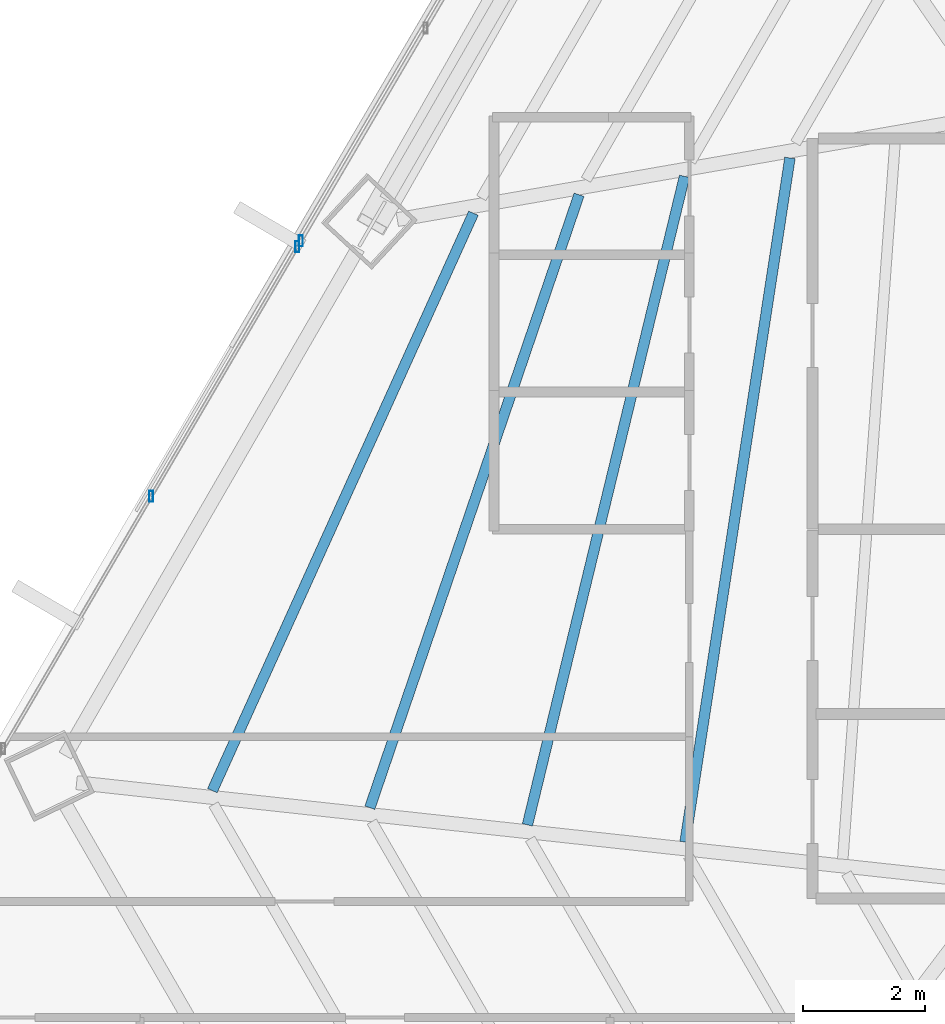
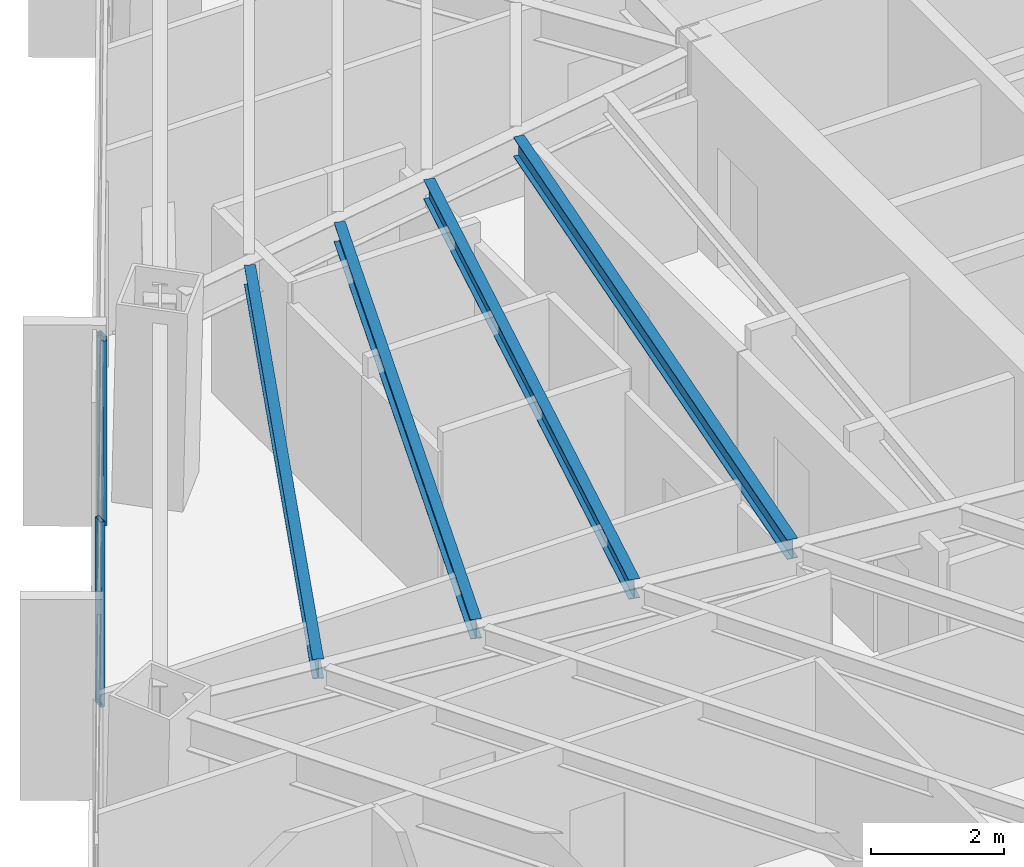
# One storey, part 11 of 35: 4 beams, 3 members, 2 elements without a shape of their own.
"""IFC4 building model written with IfcOpenShell, lengths in metres."""

import ifcopenshell
import ifcopenshell.guid

model = None  # the IFC model being written
_history = None  # IfcOwnerHistory: only IFC2X3 demands one
_inside = {}  # id of a spatial element -> (the spatial element, [elements in it])
_under = {}  # id of a project, library or spatial element -> (it, [spatial elements below it])
_declared = {}  # id of a project -> (the project, [libraries it declares])
_typed = {}  # id of a type object -> (the type object, [elements of that type])
_made_of = {}  # id of a material, layer set ... -> (it, [elements and type objects made of it])


def new_model(schema):
    """Start an empty IFC model of exactly this schema.

    Asked for "IFC4X3", IfcOpenShell would pick the latest addendum, in which some entities
    have other attributes; the version numbers below select the first issue.
    IFC2X3 requires an IfcOwnerHistory on every rooted entity: one is made here for all.
    """
    global model, _history
    if schema == "IFC4X3":
        model = ifcopenshell.file(schema_version=(4, 3, 0, 0))
    else:
        model = ifcopenshell.file(schema=schema)
    _inside.clear()
    _under.clear()
    _declared.clear()
    _typed.clear()
    _made_of.clear()
    _history = None
    if model.schema == "IFC2X3":
        org = make("IfcOrganization", Name="unknown")
        user = make(
            "IfcPersonAndOrganization",
            ThePerson=make("IfcPerson", FamilyName="unknown"),
            TheOrganization=org,
        )
        app = make(
            "IfcApplication",
            ApplicationDeveloper=org,
            Version="unknown",
            ApplicationFullName="unknown",
            ApplicationIdentifier="unknown",
        )
        _history = make(
            "IfcOwnerHistory",
            OwningUser=user,
            OwningApplication=app,
            ChangeAction="ADDED",
            CreationDate=0,
        )
    return model


def make(cls, **values):
    """One entity of the class cls with the attributes given. An attribute that is None is left unset."""
    return model.create_entity(
        cls, **{name: value for name, value in values.items() if value is not None}
    )


def rooted(cls, **values):
    """An entity with a GlobalId (a new one), such as an element, a storey or a relation."""
    return make(cls, GlobalId=ifcopenshell.guid.new(), OwnerHistory=_history, **values)


def si_unit(unit_type, name, prefix=None):
    """IfcSIUnit, for example si_unit("LENGTHUNIT", "METRE", prefix="MILLI")."""
    return make("IfcSIUnit", UnitType=unit_type, Prefix=prefix, Name=name)


def assignment(units):
    """IfcUnitAssignment: the units of a project."""
    return None if units is None else make("IfcUnitAssignment", Units=units)


def point(xyz):
    """IfcCartesianPoint."""
    return None if xyz is None else make("IfcCartesianPoint", Coordinates=xyz)


def direction(xyz):
    """IfcDirection."""
    return None if xyz is None else make("IfcDirection", DirectionRatios=xyz)


def frame(location, z_axis=None, x_axis=None):
    """IfcAxis2Placement3D, a coordinate frame: its origin and axes. An axis left out is left unset."""
    return make(
        "IfcAxis2Placement3D",
        Location=point(location),
        Axis=direction(z_axis),
        RefDirection=direction(x_axis),
    )


def frame_2d(location, x_axis=None):
    """IfcAxis2Placement2D, a coordinate frame in the plane: its origin and x axis."""
    return make(
        "IfcAxis2Placement2D", Location=point(location), RefDirection=direction(x_axis)
    )


def origin():
    """The frame at (0, 0, 0) with its axes left unset."""
    return frame((0.0, 0.0, 0.0))


def origin_2d():
    """The frame at (0, 0) in the plane with its x axis left unset."""
    return frame_2d((0.0, 0.0))


def place(relative_to, where):
    """IfcLocalPlacement: puts the frame where relative to a parent placement (None: the world)."""
    return make(
        "IfcLocalPlacement", PlacementRelTo=relative_to, RelativePlacement=where
    )


def context(
    kind, dimensions, precision=None, world=None, true_north=None, identifier=None
):
    """IfcGeometricRepresentationContext, for example the 3D "Model" context."""
    return make(
        "IfcGeometricRepresentationContext",
        ContextIdentifier=identifier,
        ContextType=kind,
        CoordinateSpaceDimension=dimensions,
        Precision=precision,
        WorldCoordinateSystem=world,
        TrueNorth=true_north,
    )


def subcontext(parent, identifier, kind, view, scale=None):
    """IfcGeometricRepresentationSubContext, for example "Body" below "Model"."""
    return make(
        "IfcGeometricRepresentationSubContext",
        ContextIdentifier=identifier,
        ContextType=kind,
        ParentContext=parent,
        TargetScale=scale,
        TargetView=view,
    )


def project(units=None, contexts=None):
    """IfcProject with its units and contexts."""
    return rooted(
        "IfcProject",
        Name="project",
        RepresentationContexts=contexts,
        UnitsInContext=assignment(units),
    )


def spatial(cls, under=None, at=None, **own):
    """A site, building, storey or space (cls), placed at a placement, below another one or the project."""
    s = rooted(cls, ObjectPlacement=at, **own)
    if under is not None:
        _under.setdefault(under.id(), (under, []))[1].append(s)
    return s


def profile(cls, at=None, kind="AREA", **sizes):
    """A parametric profile (cls). Its sizes go by their IFC names, for example OverallWidth=200.0."""
    return make(cls, ProfileType=kind, Position=at, **sizes)


def hollow_rectangle(**sizes):
    """IfcRectangleHollowProfileDef."""
    return profile("IfcRectangleHollowProfileDef", **sizes)


def i_section(**sizes):
    """IfcIShapeProfileDef."""
    return profile("IfcIShapeProfileDef", **sizes)


def extrude(swept, where, along, depth):
    """IfcExtrudedAreaSolid: the profile swept, set in the frame where, extruded along a direction by depth."""
    return make(
        "IfcExtrudedAreaSolid",
        SweptArea=swept,
        Position=where,
        ExtrudedDirection=direction(along),
        Depth=depth,
    )


def shape(context_of_items, identifier, shape_type, items):
    """IfcShapeRepresentation: the items that make up one representation, for example the "Body"."""
    return make(
        "IfcShapeRepresentation",
        ContextOfItems=context_of_items,
        RepresentationIdentifier=identifier,
        RepresentationType=shape_type,
        Items=items,
    )


def source(mapping_origin, context_of_items, identifier, shape_type, items):
    """IfcRepresentationMap: a shape defined once, which mapped items show again and again."""
    return make(
        "IfcRepresentationMap",
        MappingOrigin=mapping_origin,
        MappedRepresentation=shape(context_of_items, identifier, shape_type, items),
    )


def transform(
    local_origin,
    x_axis=None,
    y_axis=None,
    z_axis=None,
    scale=None,
    scale2=None,
    scale3=None,
    uniform=True,
):
    """IfcCartesianTransformationOperator3D, or its non-uniform kind. x_axis, y_axis, z_axis: its Axis1, 2, 3."""
    if uniform:
        return make(
            "IfcCartesianTransformationOperator3D",
            Axis1=direction(x_axis),
            Axis2=direction(y_axis),
            LocalOrigin=point(local_origin),
            Scale=scale,
            Axis3=direction(z_axis),
        )
    return make(
        "IfcCartesianTransformationOperator3DnonUniform",
        Axis1=direction(x_axis),
        Axis2=direction(y_axis),
        LocalOrigin=point(local_origin),
        Scale=scale,
        Axis3=direction(z_axis),
        Scale2=scale2,
        Scale3=scale3,
    )


def mapped(mapping_source, mapping_target):
    """IfcMappedItem: shows the shape of a source again, moved by a transform."""
    return make(
        "IfcMappedItem", MappingSource=mapping_source, MappingTarget=mapping_target
    )


def material(Name=None, Category=None):
    """IfcMaterial."""
    return make("IfcMaterial", Name=Name, Category=Category)


def material_profile(
    of_material, cross_section, Name=None, Category=None, Priority=None
):
    """IfcMaterialProfile: a cross section and its material."""
    return make(
        "IfcMaterialProfile",
        Name=Name,
        Material=of_material,
        Profile=cross_section,
        Priority=Priority,
        Category=Category,
    )


def profile_set(profiles, Name=None, composite=None):
    """IfcMaterialProfileSet."""
    return make(
        "IfcMaterialProfileSet",
        Name=Name,
        MaterialProfiles=profiles,
        CompositeProfile=composite,
    )


def made_of(thing, what):
    """Note that an element or type object is made of a material, layer set ...; save() writes the relation."""
    if what is not None:
        _made_of.setdefault(what.id(), (what, []))[1].append(thing)
    return thing


def type_object(cls, material=None, **own):
    """A type object (cls), such as IfcWallType, which elements share."""
    return made_of(rooted(cls, **own), material)


def type_shapes(of_type, sources):
    """Give a type object the sources (RepresentationMaps) that its elements show as mapped items."""
    of_type.RepresentationMaps = sources


def element(
    cls,
    number,
    at=None,
    inside=None,
    cuts=None,
    type_object=None,
    material=None,
    context=None,
    identifier="Body",
    shape_type=None,
    held_by="IfcProductDefinitionShape",
    body=None,
    shapes=None,
    **own,
):
    """One element of the class cls, such as IfcWall. Its Tag is "e" and its number.

    at: its placement. inside: the storey or other place that contains it. cuts: it is an
    opening in that element (IfcRelVoidsElement). A single representation is given by context,
    identifier, shape_type and body (its items); several are given by shapes. held_by: the class
    of the entity that holds the representations. save() writes the other relations.
    """
    e = rooted(cls, Tag="e%d" % number, ObjectPlacement=at, **own)
    if body is not None:
        shapes = [shape(context, identifier, shape_type, body)]
    if shapes is not None:
        e.Representation = make(held_by, Representations=shapes)
    if inside is not None:
        _inside.setdefault(inside.id(), (inside, []))[1].append(e)
    if cuts is not None:
        rooted(
            "IfcRelVoidsElement", RelatingBuildingElement=cuts, RelatedOpeningElement=e
        )
    if type_object is not None:
        _typed.setdefault(type_object.id(), (type_object, []))[1].append(e)
    return made_of(e, material)


def aggregate(whole, parts):
    """IfcRelAggregates: a whole, such as a stair, and the parts it consists of."""
    return rooted("IfcRelAggregates", RelatingObject=whole, RelatedObjects=parts)


def save(model, path):
    """Write the relations noted so far, then the file.

    IfcRelAggregates (storeys below a building ...), IfcRelContainedInSpatialStructure (elements
    in a storey), IfcRelDefinesByType, IfcRelAssociatesMaterial and IfcRelDeclares: one each for
    every whole, place, type object, material and project.
    """
    for whole, parts in _under.values():
        aggregate(whole, parts)
    for where, things in _inside.values():
        rooted(
            "IfcRelContainedInSpatialStructure",
            RelatedElements=things,
            RelatingStructure=where,
        )
    for kind, things in _typed.values():
        rooted("IfcRelDefinesByType", RelatedObjects=things, RelatingType=kind)
    for what, things in _made_of.values():
        rooted("IfcRelAssociatesMaterial", RelatedObjects=things, RelatingMaterial=what)
    for by, libraries in _declared.values():
        rooted("IfcRelDeclares", RelatingContext=by, RelatedDefinitions=libraries)
    model.write(path)


model = new_model("IFC4")

# Units and contexts
model_context = context("Model", 3, precision=1e-05, world=origin(), true_north=direction((0.0, 1.0)))
body_context = subcontext(model_context, "Body", "Model", "MODEL_VIEW")
ifc_project = project(units=[si_unit("LENGTHUNIT", "METRE"), si_unit("AREAUNIT", "SQUARE_METRE"), si_unit("VOLUMEUNIT", "CUBIC_METRE"), si_unit("PLANEANGLEUNIT", "RADIAN"), si_unit("MASSUNIT", "GRAM", prefix="KILO")], contexts=[model_context])

# Site, building, storey
site_placement = place(None, origin())
site = spatial("IfcSite", under=ifc_project, at=site_placement, CompositionType="ELEMENT")
building_placement = place(site_placement, origin())
building = spatial("IfcBuilding", under=site, at=building_placement, Name="Caelisora Broadcast Tower", CompositionType="ELEMENT")
storey_placement = place(building_placement, frame((0.0, 0.0, 109.050048828125)))
storey = spatial("IfcBuildingStorey", under=building, at=storey_placement, Name="L28", CompositionType="ELEMENT", Elevation=109.050048828125)

# Beams
ifc_material_1 = material(Name="Steel Grade 350 (AS/NZS 3679.1)", Category="steel")
ifc_material_profile_1 = material_profile(ifc_material_1, i_section(OverallWidth=0.172119140625, OverallDepth=0.358642578125, WebThickness=0.008056640625, FlangeThickness=0.012939453125, at=origin_2d()), Name="Steel Grade 350 (AS/NZS 3679.1)")
ifc_profile_set_1 = profile_set([ifc_material_profile_1], Name="Steel Grade 350 (AS/NZS 3679.1)")
beam_type = type_object("IfcBeamType", Name="SB02", PredefinedType="JOIST", material=ifc_profile_set_1)
shared_shape_1 = source(origin(), body_context, "Body", "SweptSolid", [
    extrude(i_section(OverallWidth=0.172119140625, OverallDepth=0.358642578125, WebThickness=0.008056640625, FlangeThickness=0.012939453125, at=origin_2d()), origin(), (0.0, 0.0, 1.0), 11.342041015625),
])
beam_1_placement = place(storey_placement, frame((27.0498046875, 29.284912109375, 3.220703125), z_axis=(-0.151539555881, -0.988451194042, 0.0), x_axis=(0.988451194042, -0.151539555881, 0.0)))
element("IfcBeam", 1, at=beam_1_placement, inside=storey, type_object=beam_type, Name="L28 beam SB02", PredefinedType="JOIST", context=body_context, shape_type="MappedRepresentation", body=[
    mapped(shared_shape_1, transform((0.0, 0.0, 0.0), scale=1.0)),
])
shared_shape_2 = source(origin(), body_context, "Body", "SweptSolid", [
    extrude(i_section(OverallWidth=0.172119140625, OverallDepth=0.358642578125, WebThickness=0.008056640625, FlangeThickness=0.012939453125, at=origin_2d()), origin(), (0.0, 0.0, 1.0), 10.935546875),
])
beam_2_placement = place(storey_placement, frame((25.322509765625, 28.9833984375, 3.220703125), z_axis=(-0.235442835241, -0.971888198989, 0.0), x_axis=(0.971888198989, -0.235442835241, 0.0)))
element("IfcBeam", 2, at=beam_2_placement, inside=storey, type_object=beam_type, Name="L28 beam SB02", PredefinedType="JOIST", context=body_context, shape_type="MappedRepresentation", body=[
    mapped(shared_shape_2, transform((0.0, 0.0, 0.0), scale=1.0)),
])
shared_shape_3 = source(origin(), body_context, "Body", "SweptSolid", [
    extrude(i_section(OverallWidth=0.172119140625, OverallDepth=0.358642578125, WebThickness=0.008056640625, FlangeThickness=0.012939453125, at=origin_2d()), origin(), (0.0, 0.0, 1.0), 10.6142578125),
])
beam_3_placement = place(storey_placement, frame((23.59375, 28.681396484375, 3.220703125), z_axis=(-0.323002670039, -0.946398053225, 0.0), x_axis=(0.946398053225, -0.323002670039, 0.0)))
element("IfcBeam", 3, at=beam_3_placement, inside=storey, type_object=beam_type, Name="L28 beam SB02", PredefinedType="JOIST", context=body_context, shape_type="MappedRepresentation", body=[
    mapped(shared_shape_3, transform((0.0, 0.0, 0.0), scale=1.0)),
])
shared_shape_4 = source(origin(), body_context, "Body", "SweptSolid", [
    extrude(i_section(OverallWidth=0.172119140625, OverallDepth=0.358642578125, WebThickness=0.008056640625, FlangeThickness=0.012939453125, at=origin_2d()), origin(), (0.0, 0.0, 1.0), 10.384521484375),
])
type_shapes(beam_type, [shared_shape_1, shared_shape_2, shared_shape_3, shared_shape_4])
beam_4_placement = place(storey_placement, frame((21.863037109375, 28.37890625, 3.220703125), z_axis=(-0.412060993008, -0.911156264337, 0.0), x_axis=(0.911156264337, -0.412060993008, 0.0)))
element("IfcBeam", 4, at=beam_4_placement, inside=storey, type_object=beam_type, Name="L28 beam SB02", PredefinedType="JOIST", context=body_context, shape_type="MappedRepresentation", body=[
    mapped(shared_shape_4, transform((0.0, 0.0, 0.0), scale=1.0)),
])

# Curtain wall, members
ifc_material_2 = material(Name="Unitised Aluminium and Low-E Glass Curtain Wall", Category="glass")
curtain_wall_type_1 = type_object("IfcCurtainWallType", Name="CW-Z2", PredefinedType="NOTDEFINED", material=ifc_material_2)
curtain_wall_1_placement = place(storey_placement, origin())
curtain_wall_1 = element("IfcCurtainWall", 5, at=curtain_wall_1_placement, inside=storey, type_object=curtain_wall_type_1, Name="L28 curtain wall CW-Z2", PredefinedType="NOTDEFINED")
ifc_material_3 = material(Name="Aluminium 6063-T6 Anodised Terracotta Bronze", Category="aluminium")
ifc_material_profile_2 = material_profile(ifc_material_3, hollow_rectangle(XDim=0.06494140625, YDim=0.179931640625, WallThickness=0.00341796875, at=origin_2d()), Name="Aluminium 6063-T6 Anodised Terracotta Bronze")
ifc_profile_set_2 = profile_set([ifc_material_profile_2], Name="Aluminium 6063-T6 Anodised Terracotta Bronze")
member_type = type_object("IfcMemberType", Name="CWM-02", PredefinedType="MULLION", material=ifc_profile_set_2)
shared_shape_5 = source(origin(), body_context, "Body", "SweptSolid", [
    extrude(hollow_rectangle(XDim=0.06494140625, YDim=0.179931640625, WallThickness=0.00341796875, at=origin_2d()), origin(), (0.0, 0.0, 1.0), 3.39990234375),
])
type_shapes(member_type, [shared_shape_5])
member_1_placement = place(storey_placement, frame((16.581787109375, 23.7392578125, 0.0), z_axis=(0.0, 0.0, 1.0), x_axis=(1.0, 0.0, 0.0)))
member_1 = element("IfcMember", 6, at=member_1_placement, type_object=member_type, Name="L28-CW-B09 mullion #2", PredefinedType="MULLION", context=body_context, shape_type="MappedRepresentation", body=[
    mapped(shared_shape_5, transform((0.0, 0.0, 0.0), scale=1.0)),
])
member_2_placement = place(storey_placement, frame((18.97900390625, 27.830810546875, 0.0), z_axis=(0.0, 0.0, 1.0), x_axis=(1.0, 0.0, 0.0)))
member_2 = element("IfcMember", 7, at=member_2_placement, type_object=member_type, Name="L28-CW-B09 mullion #3", PredefinedType="MULLION", context=body_context, shape_type="MappedRepresentation", body=[
    mapped(shared_shape_5, transform((0.0, 0.0, 0.0), scale=1.0)),
])
aggregate(curtain_wall_1, [member_1, member_2])

# Curtain wall, member
ifc_material_4 = material(Name="Unitised Aluminium Insulated Shadow-Box Spandrel Curtain Wall", Category="aluminium")
curtain_wall_type_2 = type_object("IfcCurtainWallType", Name="CW-SP1", PredefinedType="NOTDEFINED", material=ifc_material_4)
curtain_wall_2_placement = place(storey_placement, origin())
curtain_wall_2 = element("IfcCurtainWall", 8, at=curtain_wall_2_placement, inside=storey, type_object=curtain_wall_type_2, Name="L28 curtain wall CW-SP1", PredefinedType="NOTDEFINED")
member_3_placement = place(storey_placement, frame((19.03466796875, 27.925537109375, 0.0), z_axis=(0.0, 0.0, 1.0), x_axis=(1.0, 0.0, 0.0)))
member_3 = element("IfcMember", 9, at=member_3_placement, type_object=member_type, Name="L28-CW-B10 mullion #0", PredefinedType="MULLION", context=body_context, shape_type="MappedRepresentation", body=[
    mapped(shared_shape_5, transform((0.0, 0.0, 0.0), scale=1.0)),
])
aggregate(curtain_wall_2, [member_3])

save(model, "model.ifc")
